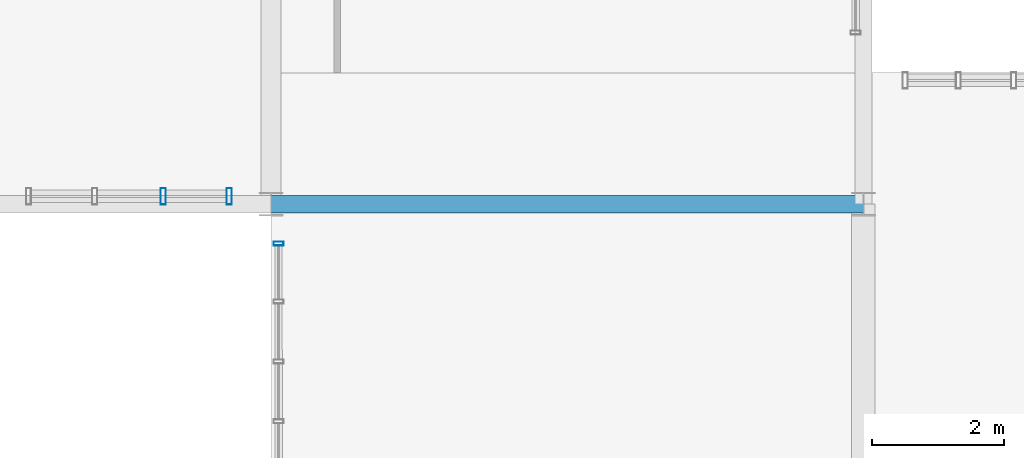
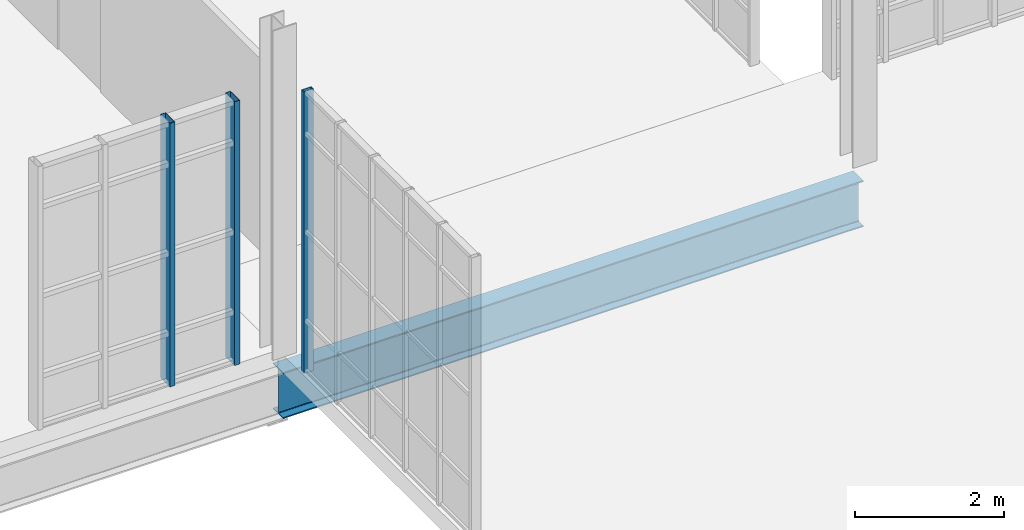
# One storey, part 75 of 189: 3 members, 1 beam, 2 elements without a shape of their own.
"""IFC4 building model written with IfcOpenShell, lengths in metres."""

from ifc_helpers import new_model, si_unit, direction, frame, origin, origin_2d, place, context, subcontext, project, spatial, hollow_rectangle, i_section, extrude, material, layer, layer_set, material_profile, profile_set, type_object, element, aggregate, save


model = new_model("IFC4")

# Units and contexts
model_context = context("Model", 3, precision=1e-05, world=origin(), true_north=direction((0.0, 1.0)))
body_context = subcontext(model_context, "Body", "Model", "MODEL_VIEW")
ifc_project = project(units=[si_unit("LENGTHUNIT", "METRE"), si_unit("AREAUNIT", "SQUARE_METRE"), si_unit("VOLUMEUNIT", "CUBIC_METRE"), si_unit("PLANEANGLEUNIT", "RADIAN"), si_unit("MASSUNIT", "GRAM", prefix="KILO"), si_unit("THERMODYNAMICTEMPERATUREUNIT", "KELVIN"), si_unit("POWERUNIT", "WATT")], contexts=[model_context])

# Site, building, storey
site_placement = place(None, origin())
site = spatial("IfcSite", under=ifc_project, at=site_placement, CompositionType="ELEMENT")
building_placement = place(site_placement, origin())
building = spatial("IfcBuilding", under=site, at=building_placement, Name="Zelmaris Science Centre", CompositionType="ELEMENT")
storey_placement = place(building_placement, origin())
storey = spatial("IfcBuildingStorey", under=building, at=storey_placement, Name="L00", CompositionType="ELEMENT", Elevation=0.0)

# Curtain wall, member
ifc_material_1 = material(Name="Anodised architectural aluminium 6063-T6", Category="aluminium")
ifc_layer_1 = layer(ifc_material_1, 0.219970703125, Name="Anodised architectural aluminium 6063-T6")
ifc_layer_set_1 = layer_set([ifc_layer_1], Name="Anodised architectural aluminium 6063-T6")
curtain_wall_type_1 = type_object("IfcCurtainWallType", Name="Curtain Wall CW-04", PredefinedType="USERDEFINED", material=ifc_layer_set_1)
curtain_wall_1_placement = place(storey_placement, origin())
curtain_wall_1 = element("IfcCurtainWall", 1, at=curtain_wall_1_placement, inside=storey, type_object=curtain_wall_type_1, Name="L00 Unitised curtain wall 76", ObjectType="GLAZED CURTAIN WALL", PredefinedType="USERDEFINED")
ifc_material_profile_1 = material_profile(ifc_material_1, hollow_rectangle(XDim=0.06005859375, YDim=0.14990234375, WallThickness=0.00341796875, at=origin_2d()), Name="ALU-MUL-60X150")
ifc_profile_set_1 = profile_set([ifc_material_profile_1], Name="Anodised architectural aluminium 6063-T6")
member_type_1 = type_object("IfcMemberType", Name="ALU-MUL-60X150", PredefinedType="MULLION", material=ifc_profile_set_1)
member_1_placement = place(storey_placement, frame((99.11328125, 63.40234375, -0.014892578125), z_axis=(0.0, 0.0, 1.0), x_axis=(-0.000478220197, 0.999999885653, 0.0)))
member_1 = element("IfcMember", 2, at=member_1_placement, type_object=member_type_1, Name="CW-04 mullion 6", PredefinedType="MULLION", context=body_context, shape_type="SweptSolid", body=[
    extrude(hollow_rectangle(XDim=0.06005859375, YDim=0.14990234375, WallThickness=0.00341796875, at=origin_2d()), origin(), (0.0, 0.0, 1.0), 4.614990234375),
])
aggregate(curtain_wall_1, [member_1])

# Curtain wall, members
ifc_layer_2 = layer(ifc_material_1, 0.18994140625, Name="Anodised architectural aluminium 6063-T6")
ifc_layer_set_2 = layer_set([ifc_layer_2], Name="Anodised architectural aluminium 6063-T6")
curtain_wall_type_2 = type_object("IfcCurtainWallType", Name="Curtain Wall CW-01", PredefinedType="USERDEFINED", material=ifc_layer_set_2)
curtain_wall_2_placement = place(storey_placement, origin())
curtain_wall_2 = element("IfcCurtainWall", 3, at=curtain_wall_2_placement, inside=storey, type_object=curtain_wall_type_2, Name="L00 Unitised curtain wall 77", ObjectType="GLAZED CURTAIN WALL", PredefinedType="USERDEFINED")
ifc_material_profile_2 = material_profile(ifc_material_1, hollow_rectangle(XDim=0.080078125, YDim=0.25, WallThickness=0.0048828125, at=origin_2d()), Name="ALU-MUL-80X250")
ifc_profile_set_2 = profile_set([ifc_material_profile_2], Name="Anodised architectural aluminium 6063-T6")
member_type_2 = type_object("IfcMemberType", Name="ALU-MUL-80X250", PredefinedType="MULLION", material=ifc_profile_set_2)
member_2_placement = place(storey_placement, frame((98.364013671875, 64.1201171875, -0.014892578125), z_axis=(0.0, 0.0, 1.0), x_axis=(-0.999999999962, 8.726646e-06, 0.0)))
member_2 = element("IfcMember", 4, at=member_2_placement, type_object=member_type_2, Name="CW-01 mullion 1", PredefinedType="MULLION", context=body_context, shape_type="SweptSolid", body=[
    extrude(hollow_rectangle(XDim=0.080078125, YDim=0.25, WallThickness=0.0048828125, at=origin_2d()), origin(), (0.0, 0.0, 1.0), 4.322998046875),
])
member_3_placement = place(storey_placement, frame((97.360107421875, 64.1201171875, -0.014892578125), z_axis=(0.0, 0.0, 1.0), x_axis=(-0.999999999962, 8.726646e-06, 0.0)))
member_3 = element("IfcMember", 5, at=member_3_placement, type_object=member_type_2, Name="CW-01 mullion 2", PredefinedType="MULLION", context=body_context, shape_type="SweptSolid", body=[
    extrude(hollow_rectangle(XDim=0.080078125, YDim=0.25, WallThickness=0.0048828125, at=origin_2d()), origin(), (0.0, 0.0, 1.0), 4.322998046875),
])
aggregate(curtain_wall_2, [member_2, member_3])

# Beam
ifc_material_2 = material(Name="Steel ASTM A992 Grade 50", Category="steel")
ifc_material_profile_3 = material_profile(ifc_material_2, i_section(OverallWidth=0.26708984375, OverallDepth=0.757080078125, WebThickness=0.013916015625, FlangeThickness=0.019287109375, FilletRadius=0.01904296875, at=origin_2d()), Name="W30X108")
ifc_profile_set_3 = profile_set([ifc_material_profile_3], Name="Steel ASTM A992 Grade 50")
beam_type = type_object("IfcBeamType", Name="Beam G-10 W30X108", PredefinedType="BEAM", material=ifc_profile_set_3)
beam_placement = place(storey_placement, frame((99.0, 64.0, -0.66845703125), z_axis=(1.0, 0.0, 0.0), x_axis=(0.0, 1.0, 0.0)))
element("IfcBeam", 6, at=beam_placement, inside=storey, type_object=beam_type, Name="L00 East-west girder 160", PredefinedType="BEAM", context=body_context, shape_type="SweptSolid", body=[
    extrude(i_section(OverallWidth=0.26708984375, OverallDepth=0.757080078125, WebThickness=0.013916015625, FlangeThickness=0.019287109375, FilletRadius=0.01904296875, at=origin_2d()), origin(), (0.0, 0.0, 1.0), 9.0),
])

save(model, "model.ifc")
